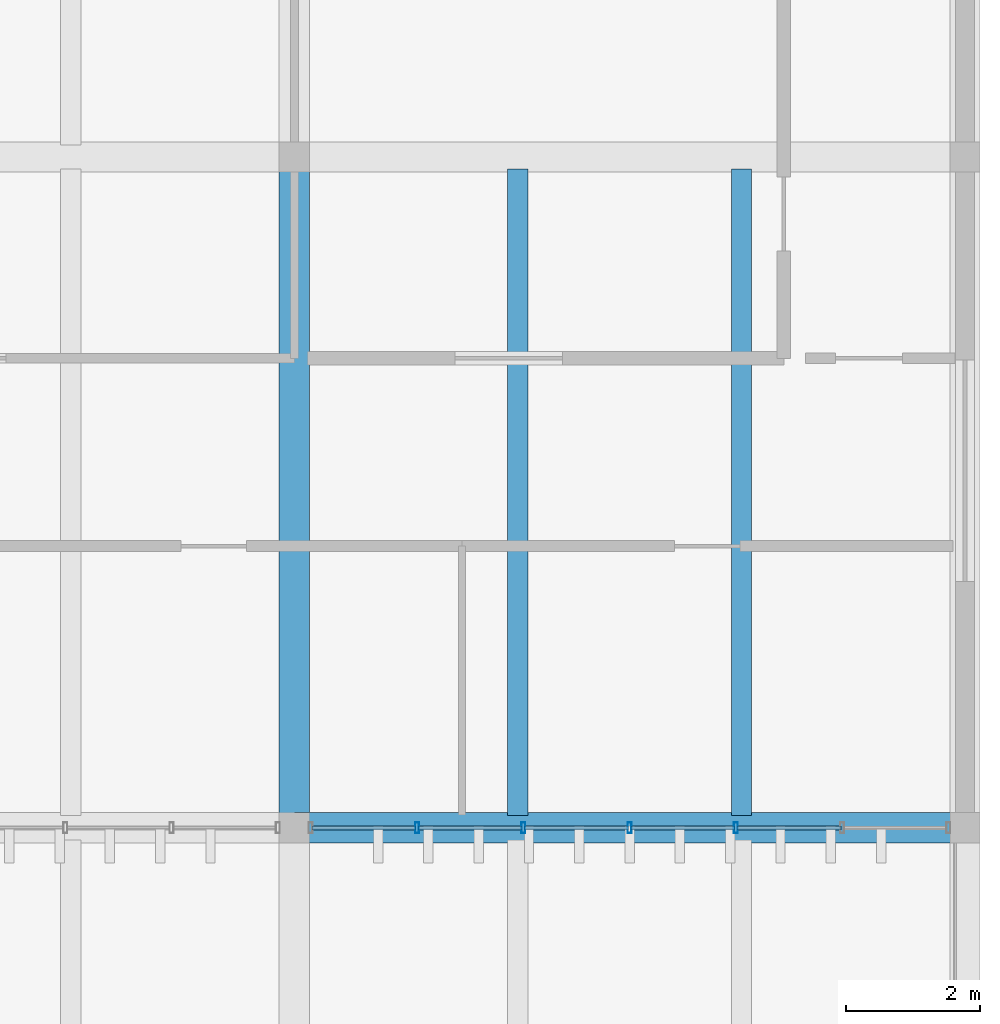
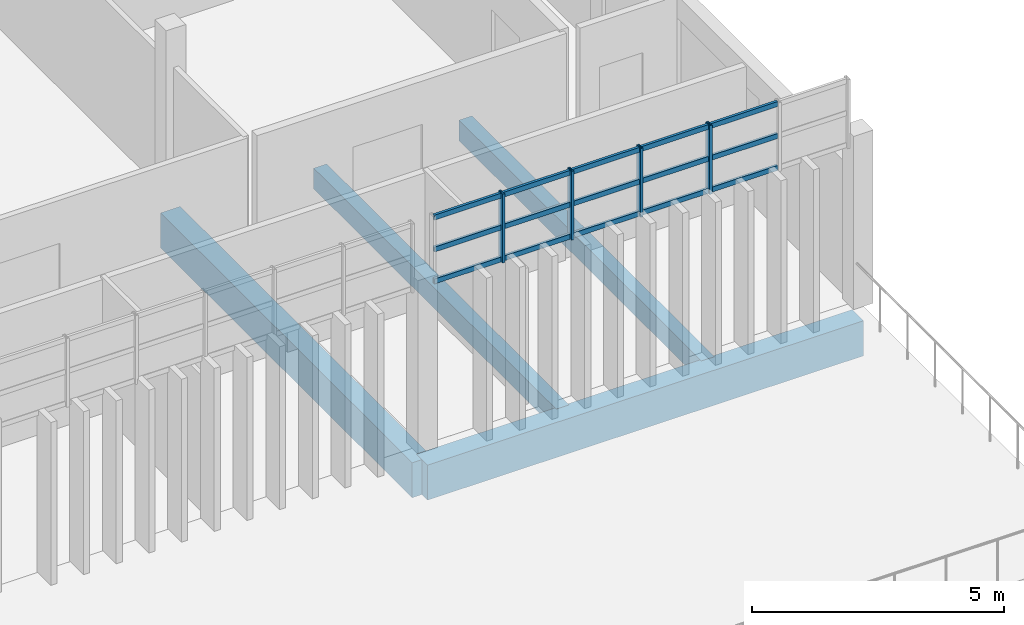
# One storey, part 20 of 36: 19 members, 4 beams, 1 element without a shape of its own.
"""IFC4 building model written with IfcOpenShell, lengths in metres."""

from ifc_helpers import new_model, si_unit, direction, frame, origin, origin_2d, place, context, subcontext, project, spatial, rectangle, hollow_rectangle, extrude, material, layer, layer_set, material_profile, profile_set, type_object, element, aggregate, save


model = new_model("IFC4")

# Units and contexts
model_context = context("Model", 3, precision=1e-05, world=origin(), true_north=direction((0.0, 1.0)))
body_context = subcontext(model_context, "Body", "Model", "MODEL_VIEW")
ifc_project = project(units=[si_unit("LENGTHUNIT", "METRE"), si_unit("AREAUNIT", "SQUARE_METRE"), si_unit("VOLUMEUNIT", "CUBIC_METRE"), si_unit("PLANEANGLEUNIT", "RADIAN"), si_unit("MASSUNIT", "GRAM", prefix="KILO")], contexts=[model_context])

# Site, building, storey
site_placement = place(None, origin())
site = spatial("IfcSite", under=ifc_project, at=site_placement, CompositionType="ELEMENT")
building_placement = place(site_placement, origin())
building = spatial("IfcBuilding", under=site, at=building_placement, Name="Mersad Railyard Sports Hall", CompositionType="ELEMENT")
storey_placement = place(building_placement, frame((0.0, 0.0, 21.60009765625)))
storey = spatial("IfcBuildingStorey", under=building, at=storey_placement, Name="L05", CompositionType="ELEMENT", Elevation=21.60009765625)

# Curtain wall, members
ifc_material_1 = material(Name="Aluminium 6063-T6", Category="aluminium")
ifc_layer = layer(ifc_material_1, 0.159912109375)
ifc_layer_set = layer_set([ifc_layer], Name="Aluminium 6063-T6")
curtain_wall_type = type_object("IfcCurtainWallType", Name="ARC-CW-CW50", PredefinedType="USERDEFINED", material=ifc_layer_set)
curtain_wall_placement = place(storey_placement, origin())
curtain_wall = element("IfcCurtainWall", 1, at=curtain_wall_placement, inside=storey, type_object=curtain_wall_type, Name="Curtain wall CW50-0136", ObjectType="CURTAIN WALL", PredefinedType="USERDEFINED")
ifc_material_profile_1 = material_profile(ifc_material_1, hollow_rectangle(XDim=0.06005859375, YDim=0.159912109375, WallThickness=0.00390625, at=origin_2d()), Name="AL MULLION 60x160x4")
ifc_profile_set_1 = profile_set([ifc_material_profile_1], Name="Aluminium 6063-T6")
member_type_1 = type_object("IfcMemberType", Name="ARC-CW-MUL01", PredefinedType="MULLION", material=ifc_profile_set_1)
member_1_placement = place(storey_placement, frame((117.5849609375, 95.0, 3.829833984375), z_axis=(0.0, 0.0, 1.0), x_axis=(1.0, 0.0, 0.0)))
member_1 = element("IfcMember", 2, at=member_1_placement, type_object=member_type_1, Name="CW50 Mullion 3", PredefinedType="MULLION", context=body_context, shape_type="SweptSolid", body=[
    extrude(hollow_rectangle(XDim=0.06005859375, YDim=0.159912109375, WallThickness=0.00390625, at=origin_2d()), origin(), (0.0, 0.0, 1.0), 1.670166015625),
])
member_2_placement = place(storey_placement, frame((116.0, 95.0, 3.829833984375), z_axis=(0.0, 0.0, 1.0), x_axis=(1.0, 0.0, 0.0)))
member_2 = element("IfcMember", 3, at=member_2_placement, type_object=member_type_1, Name="CW50 Mullion 4", PredefinedType="MULLION", context=body_context, shape_type="SweptSolid", body=[
    extrude(hollow_rectangle(XDim=0.06005859375, YDim=0.159912109375, WallThickness=0.00390625, at=origin_2d()), origin(), (0.0, 0.0, 1.0), 1.670166015625),
])
member_3_placement = place(storey_placement, frame((114.4150390625, 95.0, 3.829833984375), z_axis=(0.0, 0.0, 1.0), x_axis=(1.0, 0.0, 0.0)))
member_3 = element("IfcMember", 4, at=member_3_placement, type_object=member_type_1, Name="CW50 Mullion 5", PredefinedType="MULLION", context=body_context, shape_type="SweptSolid", body=[
    extrude(hollow_rectangle(XDim=0.06005859375, YDim=0.159912109375, WallThickness=0.00390625, at=origin_2d()), origin(), (0.0, 0.0, 1.0), 1.670166015625),
])
member_4_placement = place(storey_placement, frame((112.830078125, 95.0, 3.829833984375), z_axis=(0.0, 0.0, 1.0), x_axis=(1.0, 0.0, 0.0)))
member_4 = element("IfcMember", 5, at=member_4_placement, type_object=member_type_1, Name="CW50 Mullion 6", PredefinedType="MULLION", context=body_context, shape_type="SweptSolid", body=[
    extrude(hollow_rectangle(XDim=0.06005859375, YDim=0.159912109375, WallThickness=0.00390625, at=origin_2d()), origin(), (0.0, 0.0, 1.0), 1.670166015625),
])
ifc_material_profile_2 = material_profile(ifc_material_1, hollow_rectangle(XDim=0.06005859375, YDim=0.1201171875, WallThickness=0.00390625, at=origin_2d()), Name="AL TRANSOM 60x120x4")
ifc_profile_set_2 = profile_set([ifc_material_profile_2], Name="Aluminium 6063-T6")
member_type_2 = type_object("IfcMemberType", Name="ARC-CW-TRN01", PredefinedType="USERDEFINED", material=ifc_profile_set_2)
member_5_placement = place(storey_placement, frame((119.14990234375, 95.0, 3.889892578125), z_axis=(-1.0, 0.0, 0.0), x_axis=(0.0, -1.0, 0.0)))
member_5 = element("IfcMember", 6, at=member_5_placement, type_object=member_type_2, Name="CW50 Transom 1-2", ObjectType="TRANSOM", PredefinedType="USERDEFINED", context=body_context, shape_type="SweptSolid", body=[
    extrude(hollow_rectangle(XDim=0.06005859375, YDim=0.1201171875, WallThickness=0.00390625, at=origin_2d()), origin(), (0.0, 0.0, 1.0), 1.544921875),
])
member_6_placement = place(storey_placement, frame((117.56494140625, 95.0, 3.889892578125), z_axis=(-1.0, 0.0, 0.0), x_axis=(0.0, -1.0, 0.0)))
member_6 = element("IfcMember", 7, at=member_6_placement, type_object=member_type_2, Name="CW50 Transom 1-3", ObjectType="TRANSOM", PredefinedType="USERDEFINED", context=body_context, shape_type="SweptSolid", body=[
    extrude(hollow_rectangle(XDim=0.06005859375, YDim=0.1201171875, WallThickness=0.00390625, at=origin_2d()), origin(), (0.0, 0.0, 1.0), 1.544921875),
])
member_7_placement = place(storey_placement, frame((115.97998046875, 95.0, 3.889892578125), z_axis=(-1.0, 0.0, 0.0), x_axis=(0.0, -1.0, 0.0)))
member_7 = element("IfcMember", 8, at=member_7_placement, type_object=member_type_2, Name="CW50 Transom 1-4", ObjectType="TRANSOM", PredefinedType="USERDEFINED", context=body_context, shape_type="SweptSolid", body=[
    extrude(hollow_rectangle(XDim=0.06005859375, YDim=0.1201171875, WallThickness=0.00390625, at=origin_2d()), origin(), (0.0, 0.0, 1.0), 1.544921875),
])
member_8_placement = place(storey_placement, frame((114.39501953125, 95.0, 3.889892578125), z_axis=(-1.0, 0.0, 0.0), x_axis=(0.0, -1.0, 0.0)))
member_8 = element("IfcMember", 9, at=member_8_placement, type_object=member_type_2, Name="CW50 Transom 1-5", ObjectType="TRANSOM", PredefinedType="USERDEFINED", context=body_context, shape_type="SweptSolid", body=[
    extrude(hollow_rectangle(XDim=0.06005859375, YDim=0.1201171875, WallThickness=0.00390625, at=origin_2d()), origin(), (0.0, 0.0, 1.0), 1.544921875),
])
member_9_placement = place(storey_placement, frame((112.81005859375, 95.0, 3.889892578125), z_axis=(-1.0, 0.0, 0.0), x_axis=(0.0, -1.0, 0.0)))
member_9 = element("IfcMember", 10, at=member_9_placement, type_object=member_type_2, Name="CW50 Transom 1-6", ObjectType="TRANSOM", PredefinedType="USERDEFINED", context=body_context, shape_type="SweptSolid", body=[
    extrude(hollow_rectangle(XDim=0.06005859375, YDim=0.1201171875, WallThickness=0.00390625, at=origin_2d()), origin(), (0.0, 0.0, 1.0), 1.545166015625),
])
member_10_placement = place(storey_placement, frame((119.14990234375, 95.0, 4.664794921875), z_axis=(-1.0, 0.0, 0.0), x_axis=(0.0, -1.0, 0.0)))
member_10 = element("IfcMember", 11, at=member_10_placement, type_object=member_type_2, Name="CW50 Transom 2-2", ObjectType="TRANSOM", PredefinedType="USERDEFINED", context=body_context, shape_type="SweptSolid", body=[
    extrude(hollow_rectangle(XDim=0.06005859375, YDim=0.1201171875, WallThickness=0.00390625, at=origin_2d()), origin(), (0.0, 0.0, 1.0), 1.544921875),
])
member_11_placement = place(storey_placement, frame((117.56494140625, 95.0, 4.664794921875), z_axis=(-1.0, 0.0, 0.0), x_axis=(0.0, -1.0, 0.0)))
member_11 = element("IfcMember", 12, at=member_11_placement, type_object=member_type_2, Name="CW50 Transom 2-3", ObjectType="TRANSOM", PredefinedType="USERDEFINED", context=body_context, shape_type="SweptSolid", body=[
    extrude(hollow_rectangle(XDim=0.06005859375, YDim=0.1201171875, WallThickness=0.00390625, at=origin_2d()), origin(), (0.0, 0.0, 1.0), 1.544921875),
])
member_12_placement = place(storey_placement, frame((115.97998046875, 95.0, 4.664794921875), z_axis=(-1.0, 0.0, 0.0), x_axis=(0.0, -1.0, 0.0)))
member_12 = element("IfcMember", 13, at=member_12_placement, type_object=member_type_2, Name="CW50 Transom 2-4", ObjectType="TRANSOM", PredefinedType="USERDEFINED", context=body_context, shape_type="SweptSolid", body=[
    extrude(hollow_rectangle(XDim=0.06005859375, YDim=0.1201171875, WallThickness=0.00390625, at=origin_2d()), origin(), (0.0, 0.0, 1.0), 1.544921875),
])
member_13_placement = place(storey_placement, frame((114.39501953125, 95.0, 4.664794921875), z_axis=(-1.0, 0.0, 0.0), x_axis=(0.0, -1.0, 0.0)))
member_13 = element("IfcMember", 14, at=member_13_placement, type_object=member_type_2, Name="CW50 Transom 2-5", ObjectType="TRANSOM", PredefinedType="USERDEFINED", context=body_context, shape_type="SweptSolid", body=[
    extrude(hollow_rectangle(XDim=0.06005859375, YDim=0.1201171875, WallThickness=0.00390625, at=origin_2d()), origin(), (0.0, 0.0, 1.0), 1.544921875),
])
member_14_placement = place(storey_placement, frame((112.81005859375, 95.0, 4.664794921875), z_axis=(-1.0, 0.0, 0.0), x_axis=(0.0, -1.0, 0.0)))
member_14 = element("IfcMember", 15, at=member_14_placement, type_object=member_type_2, Name="CW50 Transom 2-6", ObjectType="TRANSOM", PredefinedType="USERDEFINED", context=body_context, shape_type="SweptSolid", body=[
    extrude(hollow_rectangle(XDim=0.06005859375, YDim=0.1201171875, WallThickness=0.00390625, at=origin_2d()), origin(), (0.0, 0.0, 1.0), 1.545166015625),
])
member_15_placement = place(storey_placement, frame((119.14990234375, 95.0, 5.43994140625), z_axis=(-1.0, 0.0, 0.0), x_axis=(0.0, -1.0, 0.0)))
member_15 = element("IfcMember", 16, at=member_15_placement, type_object=member_type_2, Name="CW50 Transom 3-2", ObjectType="TRANSOM", PredefinedType="USERDEFINED", context=body_context, shape_type="SweptSolid", body=[
    extrude(hollow_rectangle(XDim=0.06005859375, YDim=0.1201171875, WallThickness=0.00390625, at=origin_2d()), origin(), (0.0, 0.0, 1.0), 1.544921875),
])
member_16_placement = place(storey_placement, frame((117.56494140625, 95.0, 5.43994140625), z_axis=(-1.0, 0.0, 0.0), x_axis=(0.0, -1.0, 0.0)))
member_16 = element("IfcMember", 17, at=member_16_placement, type_object=member_type_2, Name="CW50 Transom 3-3", ObjectType="TRANSOM", PredefinedType="USERDEFINED", context=body_context, shape_type="SweptSolid", body=[
    extrude(hollow_rectangle(XDim=0.06005859375, YDim=0.1201171875, WallThickness=0.00390625, at=origin_2d()), origin(), (0.0, 0.0, 1.0), 1.544921875),
])
member_17_placement = place(storey_placement, frame((115.97998046875, 95.0, 5.43994140625), z_axis=(-1.0, 0.0, 0.0), x_axis=(0.0, -1.0, 0.0)))
member_17 = element("IfcMember", 18, at=member_17_placement, type_object=member_type_2, Name="CW50 Transom 3-4", ObjectType="TRANSOM", PredefinedType="USERDEFINED", context=body_context, shape_type="SweptSolid", body=[
    extrude(hollow_rectangle(XDim=0.06005859375, YDim=0.1201171875, WallThickness=0.00390625, at=origin_2d()), origin(), (0.0, 0.0, 1.0), 1.544921875),
])
member_18_placement = place(storey_placement, frame((114.39501953125, 95.0, 5.43994140625), z_axis=(-1.0, 0.0, 0.0), x_axis=(0.0, -1.0, 0.0)))
member_18 = element("IfcMember", 19, at=member_18_placement, type_object=member_type_2, Name="CW50 Transom 3-5", ObjectType="TRANSOM", PredefinedType="USERDEFINED", context=body_context, shape_type="SweptSolid", body=[
    extrude(hollow_rectangle(XDim=0.06005859375, YDim=0.1201171875, WallThickness=0.00390625, at=origin_2d()), origin(), (0.0, 0.0, 1.0), 1.544921875),
])
member_19_placement = place(storey_placement, frame((112.81005859375, 95.0, 5.43994140625), z_axis=(-1.0, 0.0, 0.0), x_axis=(0.0, -1.0, 0.0)))
member_19 = element("IfcMember", 20, at=member_19_placement, type_object=member_type_2, Name="CW50 Transom 3-6", ObjectType="TRANSOM", PredefinedType="USERDEFINED", context=body_context, shape_type="SweptSolid", body=[
    extrude(hollow_rectangle(XDim=0.06005859375, YDim=0.1201171875, WallThickness=0.00390625, at=origin_2d()), origin(), (0.0, 0.0, 1.0), 1.545166015625),
])
aggregate(curtain_wall, [member_1, member_2, member_3, member_4, member_5, member_6, member_7, member_8, member_9, member_10, member_11, member_12, member_13, member_14, member_15, member_16, member_17, member_18, member_19])

# Beams
ifc_material_2 = material(Name="Concrete C40/50", Category="concrete")
ifc_material_profile_3 = material_profile(ifc_material_2, rectangle(XDim=0.449951171875, YDim=0.85009765625, at=origin_2d()), Name="RC 450x850")
ifc_profile_set_3 = profile_set([ifc_material_profile_3], Name="Concrete C40/50")
beam_type_1 = type_object("IfcBeamType", Name="STR-BM-B02", PredefinedType="BEAM", material=ifc_profile_set_3)
for number, where, z_axis, x_axis, name in (
    (21, (111.0, 95.0, -0.775146484375), (1.0, 0.0, 0.0), (0.0, 1.0, 0.0), "Beam B02-1414"),
    (22, (111.0, 95.0, -0.775146484375), (0.0, 1.0, 0.0), (-1.0, 0.0, 0.0), "Beam B02-1443"),
):
    element("IfcBeam", number, at=place(storey_placement, frame(where, z_axis=z_axis, x_axis=x_axis)), inside=storey, type_object=beam_type_1, Name=name, PredefinedType="BEAM", context=body_context, shape_type="SweptSolid", body=[
        extrude(rectangle(XDim=0.449951171875, YDim=0.85009765625, at=origin_2d()), origin(), (0.0, 0.0, 1.0), 10.0),
    ])
ifc_material_profile_4 = material_profile(ifc_material_2, rectangle(XDim=0.300048828125, YDim=0.5, at=origin_2d()), Name="RC 300x500")
ifc_profile_set_4 = profile_set([ifc_material_profile_4], Name="Concrete C40/50")
beam_type_2 = type_object("IfcBeamType", Name="STR-BM-LN01", PredefinedType="LINTEL", material=ifc_profile_set_4)
for number, where, z_axis, x_axis, name in (
    (23, (114.3330078125, 95.179931640625, -0.60009765625), (0.0, 1.0, 0.0), (-1.0, 0.0, 0.0), "Beam LN01-1477"),
    (24, (117.6669921875, 95.179931640625, -0.60009765625), (0.0, 1.0, 0.0), (-1.0, 0.0, 0.0), "Beam LN01-1478"),
):
    element("IfcBeam", number, at=place(storey_placement, frame(where, z_axis=z_axis, x_axis=x_axis)), inside=storey, type_object=beam_type_2, Name=name, PredefinedType="LINTEL", context=body_context, shape_type="SweptSolid", body=[
        extrude(rectangle(XDim=0.300048828125, YDim=0.5, at=origin_2d()), origin(), (0.0, 0.0, 1.0), 9.64013671875),
    ])

save(model, "model.ifc")
